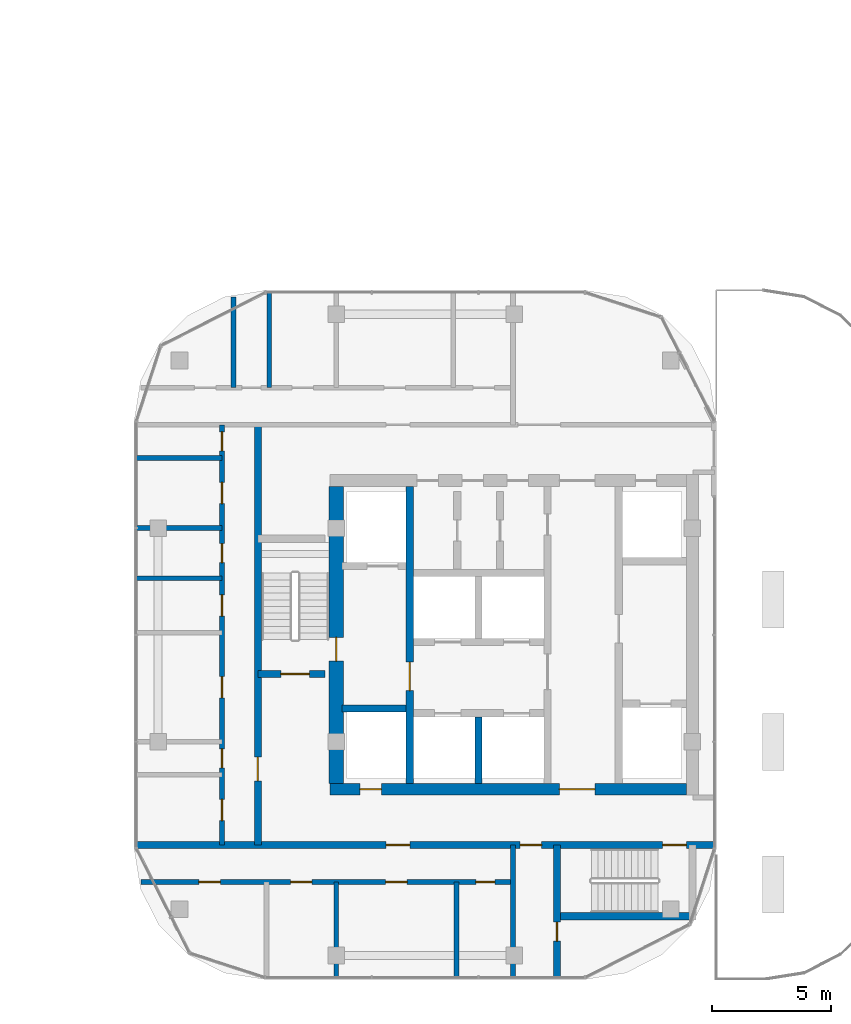
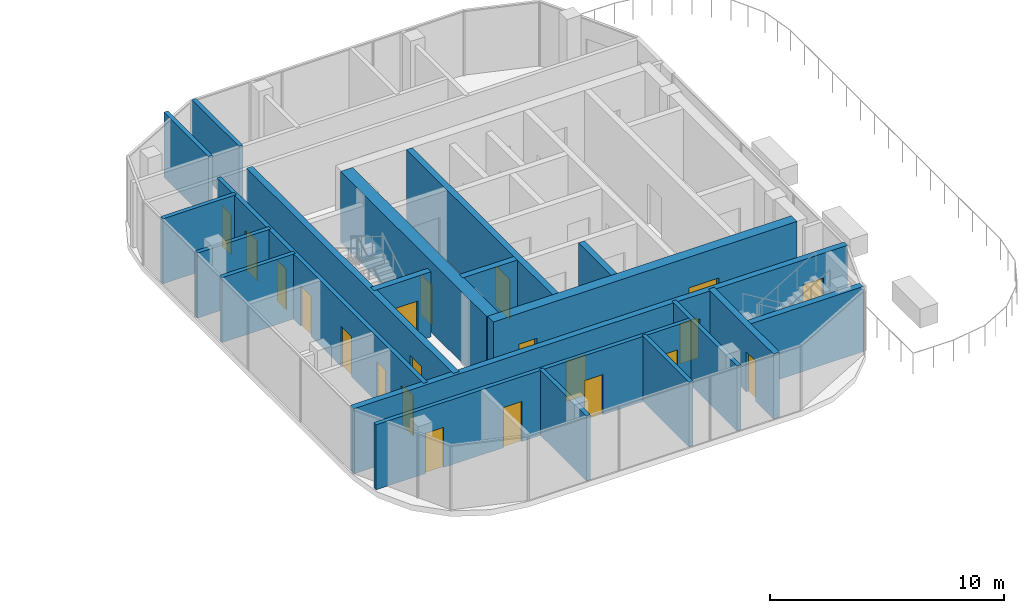
# One storey, part 23 of 35: 21 doors, 20 walls, 21 openings.
"""IFC4 building model written with IfcOpenShell, lengths in metres."""

from ifc_helpers import new_model, si_unit, direction, frame, frame_2d, origin, place, context, subcontext, project, spatial, rectangle, extrude, material, layer, layer_set, type_object, element, fill, save


model = new_model("IFC4")

# Units and contexts
model_context = context("Model", 3, precision=1e-05, world=origin(), true_north=direction((0.0, 1.0)))
body_context = subcontext(model_context, "Body", "Model", "MODEL_VIEW")
ifc_project = project(units=[si_unit("LENGTHUNIT", "METRE"), si_unit("AREAUNIT", "SQUARE_METRE"), si_unit("VOLUMEUNIT", "CUBIC_METRE"), si_unit("PLANEANGLEUNIT", "RADIAN"), si_unit("MASSUNIT", "GRAM", prefix="KILO")], contexts=[model_context])

# Site, building, storey
site_placement = place(None, origin())
site = spatial("IfcSite", under=ifc_project, at=site_placement, CompositionType="ELEMENT")
building_placement = place(site_placement, origin())
building = spatial("IfcBuilding", under=site, at=building_placement, Name="Ogive Portal Towers", CompositionType="ELEMENT")
storey_placement = place(building_placement, frame((0.0, 0.0, 94.5)))
storey = spatial("IfcBuildingStorey", under=building, at=storey_placement, Name="L22", CompositionType="ELEMENT", Elevation=94.5)

# Wall, opening, door
ifc_material_1 = material(Name="Concrete C60/75", Category="concrete")
ifc_layer_1 = layer(ifc_material_1, 0.300048828125)
ifc_layer_set_1 = layer_set([ifc_layer_1], Name="CORE WALL 300 C60")
wall_type_1 = type_object("IfcWallType", Name="CORE WALL 300 C60", PredefinedType="SHEAR", material=ifc_layer_set_1)
wall_1_placement = place(storey_placement, frame((132.10009765625, 24.75, 0.0), z_axis=(0.0, 0.0, 1.0), x_axis=(0.0, 1.0, 0.0)))
wall_1 = element("IfcWall", 1, at=wall_1_placement, inside=storey, type_object=wall_type_1, Name="Tower B core wall BX1 L22", PredefinedType="SHEAR", context=body_context, shape_type="SweptSolid", body=[
    extrude(rectangle(XDim=12.5, YDim=0.300048828125, at=frame_2d((6.25, 0.0))), origin(), (0.0, 0.0, 1.0), 3.699951171875),
])
opening_1_placement = place(wall_1_placement, frame((3.89990234375, 0.0, 0.0)))
opening_1 = element("IfcOpeningElement", 2, at=opening_1_placement, cuts=wall_1, Name="Opening B08-028", PredefinedType="OPENING", context=body_context, shape_type="SweptSolid", body=[
    extrude(rectangle(XDim=1.199951171875, YDim=2.10009765625, at=frame_2d((0.60009765625, 1.050048828125))), frame((0.0, 0.16015625, 0.0), z_axis=(0.0, -1.0, 0.0), x_axis=(1.0, 0.0, 0.0)), (0.0, 0.0, 1.0), 0.320068359375),
])
ifc_material_2 = material(Name="Steel fire door", Category="steel")
door_type_1 = type_object("IfcDoorType", Name="DT-SWING-1200x2100-FD90S", OperationType="SINGLE_SWING_LEFT", PredefinedType="DOOR", material=ifc_material_2)
door_1_placement = place(opening_1_placement, origin())
door_1 = element("IfcDoor", 3, at=door_1_placement, inside=storey, type_object=door_type_1, Name="Door B08-028", OperationType="SINGLE_SWING_LEFT", OverallHeight=2.10009765625, OverallWidth=1.199951171875, PredefinedType="DOOR", context=body_context, shape_type="SweptSolid", body=[
    extrude(rectangle(XDim=1.199951171875, YDim=2.10009765625, at=frame_2d((0.60009765625, 1.050048828125))), frame((0.0, 0.02490234375, 0.0), z_axis=(0.0, -1.0, 0.0), x_axis=(1.0, 0.0, 0.0)), (0.0, 0.0, 1.0), 0.050048828125),
])
fill(opening_1, door_1)

# Walls
wall_2_placement = place(storey_placement, frame((135.0, 24.75, 0.0), z_axis=(0.0, 0.0, 1.0), x_axis=(0.0, 1.0, 0.0)))
element("IfcWall", 4, at=wall_2_placement, inside=storey, type_object=wall_type_1, Name="Tower B core wall BX4 L22", PredefinedType="SHEAR", context=body_context, shape_type="SweptSolid", body=[
    extrude(rectangle(XDim=2.800048828125, YDim=0.300048828125, at=frame_2d((1.39990234375, 0.0))), origin(), (0.0, 0.0, 1.0), 3.699951171875),
])
wall_3_placement = place(storey_placement, frame((129.25, 27.89990234375, 0.0), z_axis=(0.0, 0.0, 1.0), x_axis=(1.0, 0.0, 0.0)))
element("IfcWall", 5, at=wall_3_placement, inside=storey, type_object=wall_type_1, Name="Tower B core wall BY4 L22", PredefinedType="SHEAR", context=body_context, shape_type="SweptSolid", body=[
    extrude(rectangle(XDim=2.699951171875, YDim=0.300048828125, at=frame_2d((1.35009765625, 0.0))), origin(), (0.0, 0.0, 1.0), 3.699951171875),
])

# Wall, openings, doors
ifc_layer_2 = layer(ifc_material_1, 0.5)
ifc_layer_set_2 = layer_set([ifc_layer_2], Name="CORE WALL 500 C60")
wall_type_2 = type_object("IfcWallType", Name="CORE WALL 500 C60", PredefinedType="SHEAR", material=ifc_layer_set_2)
wall_4_placement = place(storey_placement, frame((128.75, 24.5, 0.0), z_axis=(0.0, 0.0, 1.0), x_axis=(1.0, 0.0, 0.0)))
wall_4 = element("IfcWall", 6, at=wall_4_placement, inside=storey, type_object=wall_type_2, Name="Tower B core wall BS L22", PredefinedType="SHEAR", context=body_context, shape_type="SweptSolid", body=[
    extrude(rectangle(XDim=15.0, YDim=0.5, at=frame_2d((7.5, 0.0))), origin(), (0.0, 0.0, 1.0), 3.699951171875),
])
opening_2_placement = place(wall_4_placement, frame((9.64990234375, 0.0, 0.0)))
opening_2 = element("IfcOpeningElement", 7, at=opening_2_placement, cuts=wall_4, Name="Opening B08-031", PredefinedType="OPENING", context=body_context, shape_type="SweptSolid", body=[
    extrude(rectangle(XDim=1.5, YDim=2.10009765625, at=frame_2d((0.75, 1.050048828125))), frame((0.0, 0.260009765625, 0.0), z_axis=(0.0, -1.0, 0.0), x_axis=(1.0, 0.0, 0.0)), (0.0, 0.0, 1.0), 0.52001953125),
])
opening_3_placement = place(wall_4_placement, frame((1.25, 0.0, 0.0)))
opening_3 = element("IfcOpeningElement", 8, at=opening_3_placement, cuts=wall_4, Name="Opening B08-033", PredefinedType="OPENING", context=body_context, shape_type="SweptSolid", body=[
    extrude(rectangle(XDim=0.89990234375, YDim=2.10009765625, at=frame_2d((0.449951171875, 1.050048828125))), frame((0.0, 0.260009765625, 0.0), z_axis=(0.0, -1.0, 0.0), x_axis=(1.0, 0.0, 0.0)), (0.0, 0.0, 1.0), 0.52001953125),
])
door_type_2 = type_object("IfcDoorType", Name="DT-SWING-1500x2100-FD90S", OperationType="SINGLE_SWING_LEFT", PredefinedType="DOOR", material=ifc_material_2)
door_2_placement = place(opening_2_placement, origin())
door_2 = element("IfcDoor", 9, at=door_2_placement, inside=storey, type_object=door_type_2, Name="Door B08-031", OperationType="SINGLE_SWING_LEFT", OverallHeight=2.10009765625, OverallWidth=1.5, PredefinedType="DOOR", context=body_context, shape_type="SweptSolid", body=[
    extrude(rectangle(XDim=1.5, YDim=2.10009765625, at=frame_2d((0.75, 1.050048828125))), frame((0.0, 0.02490234375, 0.0), z_axis=(0.0, -1.0, 0.0), x_axis=(1.0, 0.0, 0.0)), (0.0, 0.0, 1.0), 0.050048828125),
])
fill(opening_2, door_2)
door_type_3 = type_object("IfcDoorType", Name="DT-SWING-900x2100-FD90S", OperationType="SINGLE_SWING_LEFT", PredefinedType="DOOR", material=ifc_material_2)
door_3_placement = place(opening_3_placement, origin())
door_3 = element("IfcDoor", 10, at=door_3_placement, inside=storey, type_object=door_type_3, Name="Riser access door B08-033", OperationType="SINGLE_SWING_LEFT", OverallHeight=2.10009765625, OverallWidth=0.89990234375, PredefinedType="DOOR", context=body_context, shape_type="SweptSolid", body=[
    extrude(rectangle(XDim=0.89990234375, YDim=2.10009765625, at=frame_2d((0.449951171875, 1.050048828125))), frame((0.0, 0.02490234375, 0.0), z_axis=(0.0, -1.0, 0.0), x_axis=(1.0, 0.0, 0.0)), (0.0, 0.0, 1.0), 0.050048828125),
])
fill(opening_3, door_3)

# Wall, opening, door
ifc_layer_3 = layer(ifc_material_1, 0.60009765625)
ifc_layer_set_3 = layer_set([ifc_layer_3], Name="CORE WALL 600 C60")
wall_type_3 = type_object("IfcWallType", Name="CORE WALL 600 C60", PredefinedType="SHEAR", material=ifc_layer_set_3)
wall_5_placement = place(storey_placement, frame((129.0, 24.75, 0.0), z_axis=(0.0, 0.0, 1.0), x_axis=(0.0, 1.0, 0.0)))
wall_5 = element("IfcWall", 11, at=wall_5_placement, inside=storey, type_object=wall_type_3, Name="Tower B core wall BW L22", PredefinedType="SHEAR", context=body_context, shape_type="SweptSolid", body=[
    extrude(rectangle(XDim=12.5, YDim=0.60009765625, at=frame_2d((6.25, 0.0))), origin(), (0.0, 0.0, 1.0), 3.699951171875),
])
opening_4_placement = place(wall_5_placement, frame((5.14990234375, 0.0, 0.0)))
opening_4 = element("IfcOpeningElement", 12, at=opening_4_placement, cuts=wall_5, Name="Opening B08-030", PredefinedType="OPENING", context=body_context, shape_type="SweptSolid", body=[
    extrude(rectangle(XDim=1.0, YDim=2.10009765625, at=frame_2d((0.5, 1.050048828125))), frame((0.0, 0.31005859375, 0.0), z_axis=(0.0, -1.0, 0.0), x_axis=(1.0, 0.0, 0.0)), (0.0, 0.0, 1.0), 0.6201171875),
])
door_type_4 = type_object("IfcDoorType", Name="DT-SWING-1000x2100-FD90S", OperationType="SINGLE_SWING_LEFT", PredefinedType="DOOR", material=ifc_material_2)
door_4_placement = place(opening_4_placement, origin())
door_4 = element("IfcDoor", 13, at=door_4_placement, inside=storey, type_object=door_type_4, Name="Door B08-030", OperationType="SINGLE_SWING_RIGHT", OverallHeight=2.10009765625, OverallWidth=1.0, PredefinedType="DOOR", context=body_context, shape_type="SweptSolid", body=[
    extrude(rectangle(XDim=1.0, YDim=2.10009765625, at=frame_2d((0.5, 1.050048828125))), frame((0.0, 0.02490234375, 0.0), z_axis=(0.0, -1.0, 0.0), x_axis=(1.0, 0.0, 0.0)), (0.0, 0.0, 1.0), 0.050048828125),
])
fill(opening_4, door_4)

# Wall
ifc_material_3 = material(Name="Concrete C50/60", Category="concrete")
ifc_layer_4 = layer(ifc_material_3, 0.300048828125)
ifc_layer_set_4 = layer_set([ifc_layer_4], Name="STAIR WALL 300 C50")
wall_type_4 = type_object("IfcWallType", Name="STAIR WALL 300 C50", PredefinedType="SHEAR", material=ifc_layer_set_4)
wall_6_placement = place(storey_placement, frame((138.25, 19.14990234375, 0.0), z_axis=(0.0, 0.0, 1.0), x_axis=(1.0, 0.0, 0.0)))
element("IfcWall", 14, at=wall_6_placement, inside=storey, type_object=wall_type_4, Name="Stair wall ST-B2 L22", PredefinedType="SHEAR", context=body_context, shape_type="SweptSolid", body=[
    extrude(rectangle(XDim=5.75, YDim=0.300048828125, at=frame_2d((2.875, 0.0))), origin(), (0.0, 0.0, 1.0), 3.39990234375),
])

# Wall, openings, doors
wall_7_placement = place(storey_placement, frame((120.56005859375, 22.14990234375, 0.0), z_axis=(0.0, 0.0, 1.0), x_axis=(1.0, 0.0, 0.0)))
wall_7 = element("IfcWall", 15, at=wall_7_placement, inside=storey, type_object=wall_type_4, Name="Stair wall ST-B2 L22", PredefinedType="SHEAR", context=body_context, shape_type="SweptSolid", body=[
    extrude(rectangle(XDim=24.3798828125, YDim=0.300048828125, at=frame_2d((12.18994140625, 0.0))), origin(), (0.0, 0.0, 1.0), 3.39990234375),
])
opening_5_placement = place(wall_7_placement, frame((22.18994140625, 0.0, 0.0)))
opening_5 = element("IfcOpeningElement", 16, at=opening_5_placement, cuts=wall_7, Name="Opening B08-002", PredefinedType="OPENING", context=body_context, shape_type="SweptSolid", body=[
    extrude(rectangle(XDim=1.0, YDim=2.10009765625, at=frame_2d((0.5, 1.050048828125))), frame((0.0, 0.16015625, 0.0), z_axis=(0.0, -1.0, 0.0), x_axis=(1.0, 0.0, 0.0)), (0.0, 0.0, 1.0), 0.320068359375),
])
opening_6_placement = place(wall_7_placement, frame((10.5400390625, 0.0, 0.0)))
opening_6 = element("IfcOpeningElement", 17, at=opening_6_placement, cuts=wall_7, Name="Opening B08-011", PredefinedType="OPENING", context=body_context, shape_type="SweptSolid", body=[
    extrude(rectangle(XDim=1.0, YDim=2.10009765625, at=frame_2d((0.5, 1.050048828125))), frame((0.0, 0.16015625, 0.0), z_axis=(0.0, -1.0, 0.0), x_axis=(1.0, 0.0, 0.0)), (0.0, 0.0, 1.0), 0.320068359375),
])
opening_7_placement = place(wall_7_placement, frame((16.18994140625, 0.0, 0.0)))
opening_7 = element("IfcOpeningElement", 18, at=opening_7_placement, cuts=wall_7, Name="Opening B08-016", PredefinedType="OPENING", context=body_context, shape_type="SweptSolid", body=[
    extrude(rectangle(XDim=0.89990234375, YDim=2.10009765625, at=frame_2d((0.449951171875, 1.050048828125))), frame((0.0, 0.16015625, 0.0), z_axis=(0.0, -1.0, 0.0), x_axis=(1.0, 0.0, 0.0)), (0.0, 0.0, 1.0), 0.320068359375),
])
door_5_placement = place(opening_5_placement, origin())
door_5 = element("IfcDoor", 19, at=door_5_placement, inside=storey, type_object=door_type_4, Name="Door B08-002", OperationType="SINGLE_SWING_RIGHT", OverallHeight=2.10009765625, OverallWidth=1.0, PredefinedType="DOOR", context=body_context, shape_type="SweptSolid", body=[
    extrude(rectangle(XDim=1.0, YDim=2.10009765625, at=frame_2d((0.5, 1.050048828125))), frame((0.0, 0.02490234375, 0.0), z_axis=(0.0, -1.0, 0.0), x_axis=(1.0, 0.0, 0.0)), (0.0, 0.0, 1.0), 0.050048828125),
])
fill(opening_5, door_5)
door_6_placement = place(opening_6_placement, origin())
door_6 = element("IfcDoor", 20, at=door_6_placement, inside=storey, type_object=door_type_4, Name="Door B08-011", OperationType="SINGLE_SWING_LEFT", OverallHeight=2.10009765625, OverallWidth=1.0, PredefinedType="DOOR", context=body_context, shape_type="SweptSolid", body=[
    extrude(rectangle(XDim=1.0, YDim=2.10009765625, at=frame_2d((0.5, 1.050048828125))), frame((0.0, 0.02490234375, 0.0), z_axis=(0.0, -1.0, 0.0), x_axis=(1.0, 0.0, 0.0)), (0.0, 0.0, 1.0), 0.050048828125),
])
fill(opening_6, door_6)
door_7_placement = place(opening_7_placement, origin())
door_7 = element("IfcDoor", 21, at=door_7_placement, inside=storey, type_object=door_type_3, Name="Door B08-016", OperationType="SINGLE_SWING_RIGHT", OverallHeight=2.10009765625, OverallWidth=0.89990234375, PredefinedType="DOOR", context=body_context, shape_type="SweptSolid", body=[
    extrude(rectangle(XDim=0.89990234375, YDim=2.10009765625, at=frame_2d((0.449951171875, 1.050048828125))), frame((0.0, 0.02490234375, 0.0), z_axis=(0.0, -1.0, 0.0), x_axis=(1.0, 0.0, 0.0)), (0.0, 0.0, 1.0), 0.050048828125),
])
fill(opening_7, door_7)

# Wall, opening, door
wall_8_placement = place(storey_placement, frame((125.699951171875, 29.35009765625, 0.0), z_axis=(0.0, 0.0, 1.0), x_axis=(1.0, 0.0, 0.0)))
wall_8 = element("IfcWall", 22, at=wall_8_placement, inside=storey, type_object=wall_type_4, Name="Stair wall ST-B1 L22", PredefinedType="SHEAR", context=body_context, shape_type="SweptSolid", body=[
    extrude(rectangle(XDim=2.830078125, YDim=0.300048828125, at=frame_2d((1.4150390625, 0.0))), origin(), (0.0, 0.0, 1.0), 3.39990234375),
])
opening_8_placement = place(wall_8_placement, frame((0.97509765625, 0.0, 0.0)))
opening_8 = element("IfcOpeningElement", 23, at=opening_8_placement, cuts=wall_8, Name="Opening B08-001", PredefinedType="OPENING", context=body_context, shape_type="SweptSolid", body=[
    extrude(rectangle(XDim=1.199951171875, YDim=2.10009765625, at=frame_2d((0.60009765625, 1.050048828125))), frame((0.0, 0.16015625, 0.0), z_axis=(0.0, -1.0, 0.0), x_axis=(1.0, 0.0, 0.0)), (0.0, 0.0, 1.0), 0.320068359375),
])
door_8_placement = place(opening_8_placement, origin())
door_8 = element("IfcDoor", 24, at=door_8_placement, inside=storey, type_object=door_type_1, Name="Door B08-001", OperationType="SINGLE_SWING_LEFT", OverallHeight=2.10009765625, OverallWidth=1.199951171875, PredefinedType="DOOR", context=body_context, shape_type="SweptSolid", body=[
    extrude(rectangle(XDim=1.199951171875, YDim=2.10009765625, at=frame_2d((0.60009765625, 1.050048828125))), frame((0.0, 0.02490234375, 0.0), z_axis=(0.0, -1.0, 0.0), x_axis=(1.0, 0.0, 0.0)), (0.0, 0.0, 1.0), 0.050048828125),
])
fill(opening_8, door_8)

wall_9_placement = place(storey_placement, frame((125.699951171875, 22.14990234375, 0.0), z_axis=(0.0, 0.0, 1.0), x_axis=(0.0, 1.0, 0.0)))
wall_9 = element("IfcWall", 25, at=wall_9_placement, inside=storey, type_object=wall_type_4, Name="Stair wall ST-B1 L22", PredefinedType="SHEAR", context=body_context, shape_type="SweptSolid", body=[
    extrude(rectangle(XDim=17.7001953125, YDim=0.300048828125, at=frame_2d((8.85009765625, 0.0))), origin(), (0.0, 0.0, 1.0), 3.39990234375),
])
opening_9_placement = place(wall_9_placement, frame((2.699951171875, 0.0, 0.0)))
opening_9 = element("IfcOpeningElement", 26, at=opening_9_placement, cuts=wall_9, Name="Opening B08-019", PredefinedType="OPENING", context=body_context, shape_type="SweptSolid", body=[
    extrude(rectangle(XDim=1.0, YDim=2.10009765625, at=frame_2d((0.5, 1.050048828125))), frame((0.0, 0.16015625, 0.0), z_axis=(0.0, -1.0, 0.0), x_axis=(1.0, 0.0, 0.0)), (0.0, 0.0, 1.0), 0.320068359375),
])
door_9_placement = place(opening_9_placement, origin())
door_9 = element("IfcDoor", 27, at=door_9_placement, inside=storey, type_object=door_type_4, Name="Door B08-019", OperationType="SINGLE_SWING_LEFT", OverallHeight=2.10009765625, OverallWidth=1.0, PredefinedType="DOOR", context=body_context, shape_type="SweptSolid", body=[
    extrude(rectangle(XDim=1.0, YDim=2.10009765625, at=frame_2d((0.5, 1.050048828125))), frame((0.0, 0.02490234375, 0.0), z_axis=(0.0, -1.0, 0.0), x_axis=(1.0, 0.0, 0.0)), (0.0, 0.0, 1.0), 0.050048828125),
])
fill(opening_9, door_9)

wall_10_placement = place(storey_placement, frame((138.300048828125, 16.56005859375, 0.0), z_axis=(0.0, 0.0, 1.0), x_axis=(0.0, 1.0, 0.0)))
wall_10 = element("IfcWall", 28, at=wall_10_placement, inside=storey, type_object=wall_type_4, Name="Stair wall ST-B2 L22", PredefinedType="SHEAR", context=body_context, shape_type="SweptSolid", body=[
    extrude(rectangle(XDim=5.58984375, YDim=0.300048828125, at=frame_2d((2.794921875, 0.0))), origin(), (0.0, 0.0, 1.0), 3.39990234375),
])
opening_10_placement = place(wall_10_placement, frame((1.5400390625, 0.0, 0.0)))
opening_10 = element("IfcOpeningElement", 29, at=opening_10_placement, cuts=wall_10, Name="Opening B08-017", PredefinedType="OPENING", context=body_context, shape_type="SweptSolid", body=[
    extrude(rectangle(XDim=0.800048828125, YDim=2.10009765625, at=frame_2d((0.39990234375, 1.050048828125))), frame((0.0, 0.16015625, 0.0), z_axis=(0.0, -1.0, 0.0), x_axis=(1.0, 0.0, 0.0)), (0.0, 0.0, 1.0), 0.320068359375),
])
door_type_5 = type_object("IfcDoorType", Name="DT-SWING-800x2100-FD90S", OperationType="SINGLE_SWING_LEFT", PredefinedType="DOOR", material=ifc_material_2)
door_10_placement = place(opening_10_placement, origin())
door_10 = element("IfcDoor", 30, at=door_10_placement, inside=storey, type_object=door_type_5, Name="Door B08-017", OperationType="SINGLE_SWING_LEFT", OverallHeight=2.10009765625, OverallWidth=0.800048828125, PredefinedType="DOOR", context=body_context, shape_type="SweptSolid", body=[
    extrude(rectangle(XDim=0.800048828125, YDim=2.10009765625, at=frame_2d((0.39990234375, 1.050048828125))), frame((0.0, 0.02490234375, 0.0), z_axis=(0.0, -1.0, 0.0), x_axis=(1.0, 0.0, 0.0)), (0.0, 0.0, 1.0), 0.050048828125),
])
fill(opening_10, door_10)

# Wall, openings, doors
ifc_material_4 = material(Name="Gypsum board partition on steel studs", Category="steel")
ifc_layer_5 = layer(ifc_material_4, 0.199951171875)
ifc_layer_set_5 = layer_set([ifc_layer_5], Name="WT-PART-200-EI 60")
wall_type_5 = type_object("IfcWallType", Name="WT-PART-200-EI 60", PredefinedType="PARTITIONING", material=ifc_layer_set_5)
wall_11_placement = place(storey_placement, frame((120.783935546875, 20.590087890625, 0.0), z_axis=(0.0, 0.0, 1.0), x_axis=(1.0, 0.0, 0.0)))
wall_11 = element("IfcWall", 31, at=wall_11_placement, inside=storey, type_object=wall_type_5, Name="Wall L22:w002", PredefinedType="PARTITIONING", context=body_context, shape_type="SweptSolid", body=[
    extrude(rectangle(XDim=15.716064453125, YDim=0.199951171875, at=frame_2d((7.85791015625, 0.0))), origin(), (0.0, 0.0, 1.0), 3.39990234375),
])
opening_11_placement = place(wall_11_placement, frame((2.43798828125, 0.0, 0.0)))
opening_11 = element("IfcOpeningElement", 32, at=opening_11_placement, cuts=wall_11, Name="Opening B08-012", PredefinedType="OPENING", context=body_context, shape_type="SweptSolid", body=[
    extrude(rectangle(XDim=0.89990234375, YDim=2.10009765625, at=frame_2d((0.449951171875, 1.050048828125))), frame((0.0, 0.10986328125, 0.0), z_axis=(0.0, -1.0, 0.0), x_axis=(1.0, 0.0, 0.0)), (0.0, 0.0, 1.0), 0.219970703125),
])
opening_12_placement = place(wall_11_placement, frame((6.298095703125, 0.0, 0.0)))
opening_12 = element("IfcOpeningElement", 33, at=opening_12_placement, cuts=wall_11, Name="Opening B08-013", PredefinedType="OPENING", context=body_context, shape_type="SweptSolid", body=[
    extrude(rectangle(XDim=0.89990234375, YDim=2.10009765625, at=frame_2d((0.449951171875, 1.050048828125))), frame((0.0, 0.10986328125, 0.0), z_axis=(0.0, -1.0, 0.0), x_axis=(1.0, 0.0, 0.0)), (0.0, 0.0, 1.0), 0.219970703125),
])
opening_13_placement = place(wall_11_placement, frame((10.300048828125, 0.0, 0.0)))
opening_13 = element("IfcOpeningElement", 34, at=opening_13_placement, cuts=wall_11, Name="Opening B08-014", PredefinedType="OPENING", context=body_context, shape_type="SweptSolid", body=[
    extrude(rectangle(XDim=0.89990234375, YDim=2.10009765625, at=frame_2d((0.449951171875, 1.050048828125))), frame((0.0, 0.10986328125, 0.0), z_axis=(0.0, -1.0, 0.0), x_axis=(1.0, 0.0, 0.0)), (0.0, 0.0, 1.0), 0.219970703125),
])
opening_14_placement = place(wall_11_placement, frame((14.10009765625, 0.0, 0.0)))
opening_14 = element("IfcOpeningElement", 35, at=opening_14_placement, cuts=wall_11, Name="Opening B08-015", PredefinedType="OPENING", context=body_context, shape_type="SweptSolid", body=[
    extrude(rectangle(XDim=0.800048828125, YDim=2.10009765625, at=frame_2d((0.39990234375, 1.050048828125))), frame((0.0, 0.10986328125, 0.0), z_axis=(0.0, -1.0, 0.0), x_axis=(1.0, 0.0, 0.0)), (0.0, 0.0, 1.0), 0.219970703125),
])
door_type_6 = type_object("IfcDoorType", Name="DT-SWING-800x2100-FD60S", OperationType="SINGLE_SWING_LEFT", PredefinedType="DOOR", material=ifc_material_2)
door_11_placement = place(opening_14_placement, origin())
door_11 = element("IfcDoor", 36, at=door_11_placement, inside=storey, type_object=door_type_6, Name="Door B08-015", OperationType="SINGLE_SWING_LEFT", OverallHeight=2.10009765625, OverallWidth=0.800048828125, PredefinedType="DOOR", context=body_context, shape_type="SweptSolid", body=[
    extrude(rectangle(XDim=0.800048828125, YDim=2.10009765625, at=frame_2d((0.39990234375, 1.050048828125))), frame((0.0, 0.02490234375, 0.0), z_axis=(0.0, -1.0, 0.0), x_axis=(1.0, 0.0, 0.0)), (0.0, 0.0, 1.0), 0.050048828125),
])
fill(opening_14, door_11)
door_type_7 = type_object("IfcDoorType", Name="DT-SWING-900x2100-FD60S", OperationType="SINGLE_SWING_LEFT", PredefinedType="DOOR", material=ifc_material_2)
door_12_placement = place(opening_11_placement, origin())
door_12 = element("IfcDoor", 37, at=door_12_placement, inside=storey, type_object=door_type_7, Name="Door B08-012", OperationType="SINGLE_SWING_RIGHT", OverallHeight=2.10009765625, OverallWidth=0.89990234375, PredefinedType="DOOR", context=body_context, shape_type="SweptSolid", body=[
    extrude(rectangle(XDim=0.89990234375, YDim=2.10009765625, at=frame_2d((0.449951171875, 1.050048828125))), frame((0.0, 0.02490234375, 0.0), z_axis=(0.0, -1.0, 0.0), x_axis=(1.0, 0.0, 0.0)), (0.0, 0.0, 1.0), 0.050048828125),
])
fill(opening_11, door_12)
door_13_placement = place(opening_12_placement, origin())
door_13 = element("IfcDoor", 38, at=door_13_placement, inside=storey, type_object=door_type_7, Name="Door B08-013", OperationType="SINGLE_SWING_LEFT", OverallHeight=2.10009765625, OverallWidth=0.89990234375, PredefinedType="DOOR", context=body_context, shape_type="SweptSolid", body=[
    extrude(rectangle(XDim=0.89990234375, YDim=2.10009765625, at=frame_2d((0.449951171875, 1.050048828125))), frame((0.0, 0.02490234375, 0.0), z_axis=(0.0, -1.0, 0.0), x_axis=(1.0, 0.0, 0.0)), (0.0, 0.0, 1.0), 0.050048828125),
])
fill(opening_12, door_13)
door_14_placement = place(opening_13_placement, origin())
door_14 = element("IfcDoor", 39, at=door_14_placement, inside=storey, type_object=door_type_7, Name="Door B08-014", OperationType="SINGLE_SWING_RIGHT", OverallHeight=2.10009765625, OverallWidth=0.89990234375, PredefinedType="DOOR", context=body_context, shape_type="SweptSolid", body=[
    extrude(rectangle(XDim=0.89990234375, YDim=2.10009765625, at=frame_2d((0.449951171875, 1.050048828125))), frame((0.0, 0.02490234375, 0.0), z_axis=(0.0, -1.0, 0.0), x_axis=(1.0, 0.0, 0.0)), (0.0, 0.0, 1.0), 0.050048828125),
])
fill(opening_13, door_14)

# Walls
for number, where, z_axis, x_axis, name in (
    (40, (120.56005859375, 33.39111328125, 0.0), (0.0, 0.0, 1.0), (1.0, 0.0, 0.0), "Wall L22:w010"),
    (41, (120.56005859375, 35.5, 0.0), (0.0, 0.0, 1.0), (1.0, 0.0, 0.0), "Wall L22:w012"),
    (42, (120.56005859375, 38.4560546875, 0.0), (0.0, 0.0, 1.0), (1.0, 0.0, 0.0), "Wall L22:w015"),
):
    element("IfcWall", number, at=place(storey_placement, frame(where, z_axis=z_axis, x_axis=x_axis)), inside=storey, type_object=wall_type_5, Name=name, PredefinedType="PARTITIONING", context=body_context, shape_type="SweptSolid", body=[
        extrude(rectangle(XDim=3.6298828125, YDim=0.199951171875, at=frame_2d((1.81494140625, 0.0))), origin(), (0.0, 0.0, 1.0), 3.39990234375),
    ])

# Wall, openings, doors
wall_12_placement = place(storey_placement, frame((124.18994140625, 22.14990234375, 0.0), z_axis=(0.0, 0.0, 1.0), x_axis=(0.0, 1.0, 0.0)))
wall_12 = element("IfcWall", 43, at=wall_12_placement, inside=storey, type_object=wall_type_5, Name="Wall L22:w018", PredefinedType="PARTITIONING", context=body_context, shape_type="SweptSolid", body=[
    extrude(rectangle(XDim=17.7001953125, YDim=0.199951171875, at=frame_2d((8.85009765625, 0.0))), origin(), (0.0, 0.0, 1.0), 3.39990234375),
])
opening_15_placement = place(wall_12_placement, frame((1.028076171875, 0.0, 0.0)))
opening_15 = element("IfcOpeningElement", 44, at=opening_15_placement, cuts=wall_12, Name="Opening B08-020", PredefinedType="OPENING", context=body_context, shape_type="SweptSolid", body=[
    extrude(rectangle(XDim=0.89990234375, YDim=2.10009765625, at=frame_2d((0.449951171875, 1.050048828125))), frame((0.0, 0.10986328125, 0.0), z_axis=(0.0, -1.0, 0.0), x_axis=(1.0, 0.0, 0.0)), (0.0, 0.0, 1.0), 0.219970703125),
])
opening_16_placement = place(wall_12_placement, frame((3.2529296875, 0.0, 0.0)))
opening_16 = element("IfcOpeningElement", 45, at=opening_16_placement, cuts=wall_12, Name="Opening B08-021", PredefinedType="OPENING", context=body_context, shape_type="SweptSolid", body=[
    extrude(rectangle(XDim=0.800048828125, YDim=2.10009765625, at=frame_2d((0.39990234375, 1.050048828125))), frame((0.0, 0.10986328125, 0.0), z_axis=(0.0, -1.0, 0.0), x_axis=(1.0, 0.0, 0.0)), (0.0, 0.0, 1.0), 0.219970703125),
])
opening_17_placement = place(wall_12_placement, frame((6.195068359375, 0.0, 0.0)))
opening_17 = element("IfcOpeningElement", 46, at=opening_17_placement, cuts=wall_12, Name="Opening B08-022", PredefinedType="OPENING", context=body_context, shape_type="SweptSolid", body=[
    extrude(rectangle(XDim=0.89990234375, YDim=2.10009765625, at=frame_2d((0.449951171875, 1.050048828125))), frame((0.0, 0.10986328125, 0.0), z_axis=(0.0, -1.0, 0.0), x_axis=(1.0, 0.0, 0.0)), (0.0, 0.0, 1.0), 0.219970703125),
])
opening_18_placement = place(wall_12_placement, frame((9.64111328125, 0.0, 0.0)))
opening_18 = element("IfcOpeningElement", 47, at=opening_18_placement, cuts=wall_12, Name="Opening B08-023", PredefinedType="OPENING", context=body_context, shape_type="SweptSolid", body=[
    extrude(rectangle(XDim=0.89990234375, YDim=2.10009765625, at=frame_2d((0.449951171875, 1.050048828125))), frame((0.0, 0.10986328125, 0.0), z_axis=(0.0, -1.0, 0.0), x_axis=(1.0, 0.0, 0.0)), (0.0, 0.0, 1.0), 0.219970703125),
])
opening_19_placement = place(wall_12_placement, frame((11.89501953125, 0.0, 0.0)))
opening_19 = element("IfcOpeningElement", 48, at=opening_19_placement, cuts=wall_12, Name="Opening B08-024", PredefinedType="OPENING", context=body_context, shape_type="SweptSolid", body=[
    extrude(rectangle(XDim=0.800048828125, YDim=2.10009765625, at=frame_2d((0.39990234375, 1.050048828125))), frame((0.0, 0.10986328125, 0.0), z_axis=(0.0, -1.0, 0.0), x_axis=(1.0, 0.0, 0.0)), (0.0, 0.0, 1.0), 0.219970703125),
])
opening_20_placement = place(wall_12_placement, frame((14.3779296875, 0.0, 0.0)))
opening_20 = element("IfcOpeningElement", 49, at=opening_20_placement, cuts=wall_12, Name="Opening B08-025", PredefinedType="OPENING", context=body_context, shape_type="SweptSolid", body=[
    extrude(rectangle(XDim=0.89990234375, YDim=2.10009765625, at=frame_2d((0.449951171875, 1.050048828125))), frame((0.0, 0.10986328125, 0.0), z_axis=(0.0, -1.0, 0.0), x_axis=(1.0, 0.0, 0.0)), (0.0, 0.0, 1.0), 0.219970703125),
])
opening_21_placement = place(wall_12_placement, frame((16.60302734375, 0.0, 0.0)))
opening_21 = element("IfcOpeningElement", 50, at=opening_21_placement, cuts=wall_12, Name="Opening B08-026", PredefinedType="OPENING", context=body_context, shape_type="SweptSolid", body=[
    extrude(rectangle(XDim=0.800048828125, YDim=2.10009765625, at=frame_2d((0.39990234375, 1.050048828125))), frame((0.0, 0.10986328125, 0.0), z_axis=(0.0, -1.0, 0.0), x_axis=(1.0, 0.0, 0.0)), (0.0, 0.0, 1.0), 0.219970703125),
])
door_15_placement = place(opening_16_placement, origin())
door_15 = element("IfcDoor", 51, at=door_15_placement, inside=storey, type_object=door_type_6, Name="Door B08-021", OperationType="SINGLE_SWING_LEFT", OverallHeight=2.10009765625, OverallWidth=0.800048828125, PredefinedType="DOOR", context=body_context, shape_type="SweptSolid", body=[
    extrude(rectangle(XDim=0.800048828125, YDim=2.10009765625, at=frame_2d((0.39990234375, 1.050048828125))), frame((0.0, 0.02490234375, 0.0), z_axis=(0.0, -1.0, 0.0), x_axis=(1.0, 0.0, 0.0)), (0.0, 0.0, 1.0), 0.050048828125),
])
fill(opening_16, door_15)
door_16_placement = place(opening_19_placement, origin())
door_16 = element("IfcDoor", 52, at=door_16_placement, inside=storey, type_object=door_type_6, Name="Door B08-024", OperationType="SINGLE_SWING_RIGHT", OverallHeight=2.10009765625, OverallWidth=0.800048828125, PredefinedType="DOOR", context=body_context, shape_type="SweptSolid", body=[
    extrude(rectangle(XDim=0.800048828125, YDim=2.10009765625, at=frame_2d((0.39990234375, 1.050048828125))), frame((0.0, 0.02490234375, 0.0), z_axis=(0.0, -1.0, 0.0), x_axis=(1.0, 0.0, 0.0)), (0.0, 0.0, 1.0), 0.050048828125),
])
fill(opening_19, door_16)
door_17_placement = place(opening_21_placement, origin())
door_17 = element("IfcDoor", 53, at=door_17_placement, inside=storey, type_object=door_type_6, Name="Door B08-026", OperationType="SINGLE_SWING_RIGHT", OverallHeight=2.10009765625, OverallWidth=0.800048828125, PredefinedType="DOOR", context=body_context, shape_type="SweptSolid", body=[
    extrude(rectangle(XDim=0.800048828125, YDim=2.10009765625, at=frame_2d((0.39990234375, 1.050048828125))), frame((0.0, 0.02490234375, 0.0), z_axis=(0.0, -1.0, 0.0), x_axis=(1.0, 0.0, 0.0)), (0.0, 0.0, 1.0), 0.050048828125),
])
fill(opening_21, door_17)
door_18_placement = place(opening_15_placement, origin())
door_18 = element("IfcDoor", 54, at=door_18_placement, inside=storey, type_object=door_type_7, Name="Door B08-020", OperationType="SINGLE_SWING_RIGHT", OverallHeight=2.10009765625, OverallWidth=0.89990234375, PredefinedType="DOOR", context=body_context, shape_type="SweptSolid", body=[
    extrude(rectangle(XDim=0.89990234375, YDim=2.10009765625, at=frame_2d((0.449951171875, 1.050048828125))), frame((0.0, 0.02490234375, 0.0), z_axis=(0.0, -1.0, 0.0), x_axis=(1.0, 0.0, 0.0)), (0.0, 0.0, 1.0), 0.050048828125),
])
fill(opening_15, door_18)
door_19_placement = place(opening_17_placement, origin())
door_19 = element("IfcDoor", 55, at=door_19_placement, inside=storey, type_object=door_type_7, Name="Door B08-022", OperationType="SINGLE_SWING_RIGHT", OverallHeight=2.10009765625, OverallWidth=0.89990234375, PredefinedType="DOOR", context=body_context, shape_type="SweptSolid", body=[
    extrude(rectangle(XDim=0.89990234375, YDim=2.10009765625, at=frame_2d((0.449951171875, 1.050048828125))), frame((0.0, 0.02490234375, 0.0), z_axis=(0.0, -1.0, 0.0), x_axis=(1.0, 0.0, 0.0)), (0.0, 0.0, 1.0), 0.050048828125),
])
fill(opening_17, door_19)
door_20_placement = place(opening_18_placement, origin())
door_20 = element("IfcDoor", 56, at=door_20_placement, inside=storey, type_object=door_type_7, Name="Door B08-023", OperationType="SINGLE_SWING_LEFT", OverallHeight=2.10009765625, OverallWidth=0.89990234375, PredefinedType="DOOR", context=body_context, shape_type="SweptSolid", body=[
    extrude(rectangle(XDim=0.89990234375, YDim=2.10009765625, at=frame_2d((0.449951171875, 1.050048828125))), frame((0.0, 0.02490234375, 0.0), z_axis=(0.0, -1.0, 0.0), x_axis=(1.0, 0.0, 0.0)), (0.0, 0.0, 1.0), 0.050048828125),
])
fill(opening_18, door_20)
door_21_placement = place(opening_20_placement, origin())
door_21 = element("IfcDoor", 57, at=door_21_placement, inside=storey, type_object=door_type_7, Name="Door B08-025", OperationType="SINGLE_SWING_LEFT", OverallHeight=2.10009765625, OverallWidth=0.89990234375, PredefinedType="DOOR", context=body_context, shape_type="SweptSolid", body=[
    extrude(rectangle(XDim=0.89990234375, YDim=2.10009765625, at=frame_2d((0.449951171875, 1.050048828125))), frame((0.0, 0.02490234375, 0.0), z_axis=(0.0, -1.0, 0.0), x_axis=(1.0, 0.0, 0.0)), (0.0, 0.0, 1.0), 0.050048828125),
])
fill(opening_20, door_21)

# Walls
wall_13_placement = place(storey_placement, frame((124.677001953125, 41.409912109375, 0.0), z_axis=(0.0, 0.0, 1.0), x_axis=(0.0, 1.0, 0.0)))
element("IfcWall", 58, at=wall_13_placement, inside=storey, type_object=wall_type_5, Name="Wall L22:w019", PredefinedType="PARTITIONING", context=body_context, shape_type="SweptSolid", body=[
    extrude(rectangle(XDim=3.820068359375, YDim=0.199951171875, at=frame_2d((1.91015625, 0.0))), origin(), (0.0, 0.0, 1.0), 3.39990234375),
])
for number, where, z_axis, x_axis, name in (
    (59, (126.18408203125, 41.409912109375, 0.0), (0.0, 0.0, 1.0), (0.0, 1.0, 0.0), "Wall L22:w022"),
    (60, (129.0, 16.56005859375, 0.0), (0.0, 0.0, 1.0), (0.0, 1.0, 0.0), "Wall L22:w025"),
    (61, (134.069091796875, 16.56005859375, 0.0), (0.0, 0.0, 1.0), (0.0, 1.0, 0.0), "Wall L22:w028"),
):
    element("IfcWall", number, at=place(storey_placement, frame(where, z_axis=z_axis, x_axis=x_axis)), inside=storey, type_object=wall_type_5, Name=name, PredefinedType="PARTITIONING", context=body_context, shape_type="SweptSolid", body=[
        extrude(rectangle(XDim=4.030029296875, YDim=0.199951171875, at=frame_2d((2.01513671875, 0.0))), origin(), (0.0, 0.0, 1.0), 3.39990234375),
    ])
wall_14_placement = place(storey_placement, frame((136.449951171875, 16.56005859375, 0.0), z_axis=(0.0, 0.0, 1.0), x_axis=(0.0, 1.0, 0.0)))
element("IfcWall", 62, at=wall_14_placement, inside=storey, type_object=wall_type_5, Name="Wall L22:w031", PredefinedType="PARTITIONING", context=body_context, shape_type="SweptSolid", body=[
    extrude(rectangle(XDim=5.58984375, YDim=0.199951171875, at=frame_2d((2.794921875, 0.0))), origin(), (0.0, 0.0, 1.0), 3.39990234375),
])

save(model, "model.ifc")
